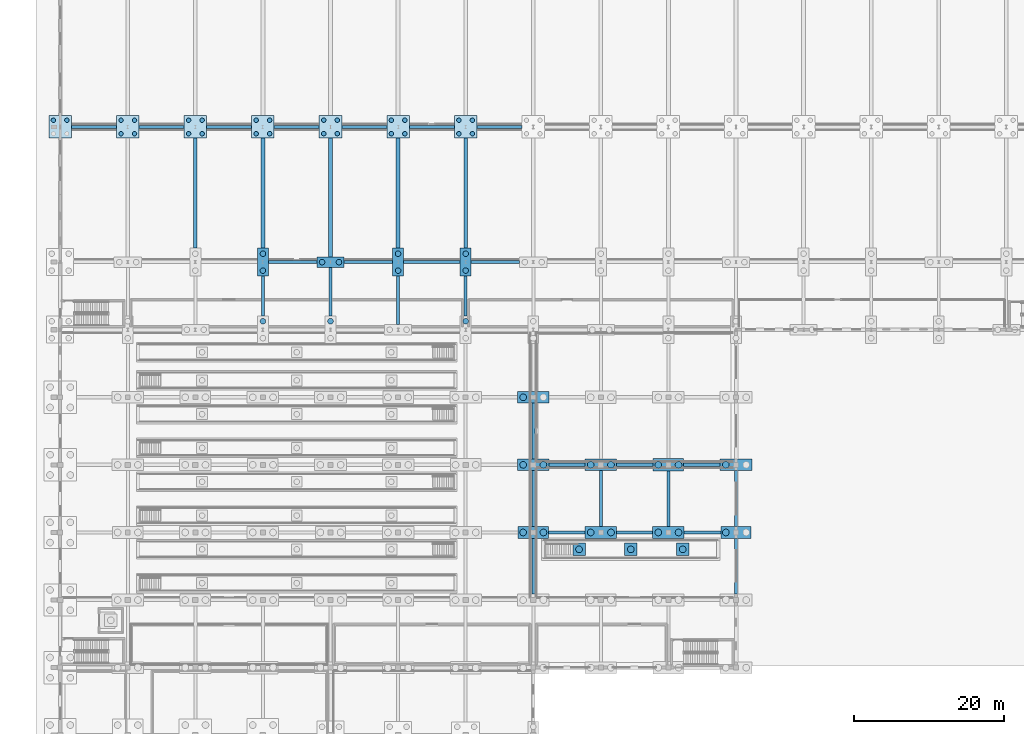
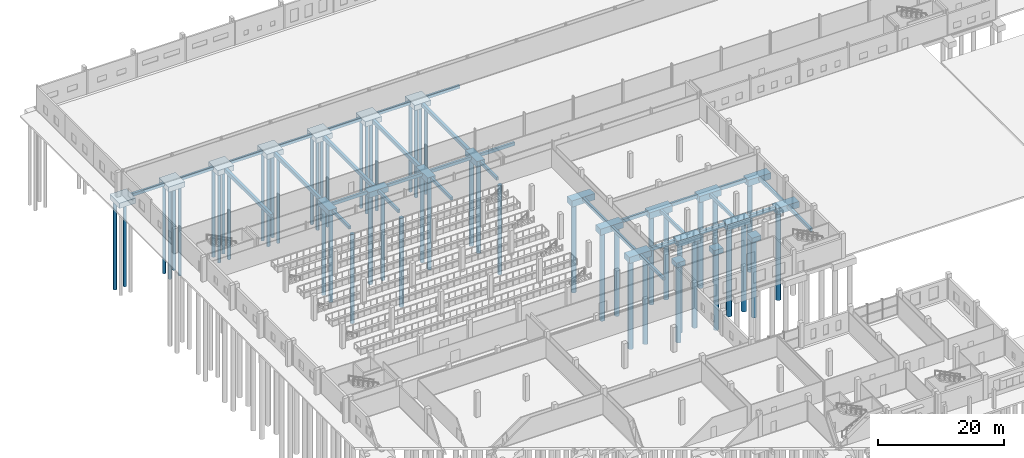
# One storey, part 8 of 112: 56 footings, 55 piles.
"""IFC4 building model written with IfcOpenShell, lengths in metres."""

from ifc_helpers import new_model, si_unit, direction, frame, origin, origin_2d, place, context, subcontext, project, spatial, polyline, rectangle, circle, outline, extrude, material, material_profile, profile_set, type_object, element, save


model = new_model("IFC4")

# Units and contexts
model_context = context("Model", 3, precision=1e-05, world=origin(), true_north=direction((0.0, 1.0)))
body_context = subcontext(model_context, "Body", "Model", "MODEL_VIEW")
ifc_project = project(units=[si_unit("LENGTHUNIT", "METRE"), si_unit("AREAUNIT", "SQUARE_METRE"), si_unit("VOLUMEUNIT", "CUBIC_METRE"), si_unit("PLANEANGLEUNIT", "RADIAN"), si_unit("MASSUNIT", "GRAM", prefix="KILO")], contexts=[model_context])

# Site, building, storey
site_placement = place(None, origin())
site = spatial("IfcSite", under=ifc_project, at=site_placement, CompositionType="ELEMENT")
building_placement = place(site_placement, origin())
building = spatial("IfcBuilding", under=site, at=building_placement, Name="Tharagai Park Tramway Depot", CompositionType="ELEMENT")
storey_placement = place(building_placement, origin())
storey = spatial("IfcBuildingStorey", under=building, at=storey_placement, Name="L00", CompositionType="ELEMENT", Elevation=0.0)

# Piles
ifc_material = material(Name="Concrete M40", Category="concrete")
ifc_material_profile_1 = material_profile(ifc_material, circle(Radius=0.449951171875, at=origin_2d()), Name="PILE D900")
ifc_profile_set_1 = profile_set([ifc_material_profile_1], Name="Concrete M40")
pile_type_1 = type_object("IfcPileType", Name="BP-01", PredefinedType="BORED", material=ifc_profile_set_1)
for number, where, z_axis, x_axis, name in (
    (1, (61.64990234375, 63.0, -1.3798828125), (0.0, 0.0, -1.0), (1.0, 0.0, 0.0), "Bored Pile BP-01 (63,63) #1"),
    (2, (64.35009765625, 63.0, -1.3798828125), (0.0, 0.0, -1.0), (1.0, 0.0, 0.0), "Bored Pile BP-01 (63,63) #2"),
):
    element("IfcPile", number, at=place(storey_placement, frame(where, z_axis=z_axis, x_axis=x_axis)), inside=storey, type_object=pile_type_1, Name=name, PredefinedType="BORED", context=body_context, shape_type="SweptSolid", body=[
        extrude(circle(Radius=0.449951171875, at=origin_2d()), origin(), (0.0, 0.0, 1.0), 17.1201171875),
    ])
for number, where, z_axis, x_axis, name in (
    (3, (61.64990234375, 72.0, -1.39990234375), (0.0, 0.0, -1.0), (1.0, 0.0, 0.0), "Bored Pile BP-01 (63,72) #1"),
    (4, (64.35009765625, 72.0, -1.39990234375), (0.0, 0.0, -1.0), (1.0, 0.0, 0.0), "Bored Pile BP-01 (63,72) #2"),
    (5, (61.64990234375, 81.0, -1.39990234375), (0.0, 0.0, -1.0), (1.0, 0.0, 0.0), "Bored Pile BP-01 (63,81) #1"),
    (6, (70.64990234375, 63.0, -1.39990234375), (0.0, 0.0, -1.0), (1.0, 0.0, 0.0), "Bored Pile BP-01 (72,63) #1"),
    (7, (73.35009765625, 63.0, -1.39990234375), (0.0, 0.0, -1.0), (1.0, 0.0, 0.0), "Bored Pile BP-01 (72,63) #2"),
    (8, (70.64990234375, 72.0, -1.39990234375), (0.0, 0.0, -1.0), (1.0, 0.0, 0.0), "Bored Pile BP-01 (72,72) #1"),
    (9, (73.35009765625, 72.0, -1.39990234375), (0.0, 0.0, -1.0), (1.0, 0.0, 0.0), "Bored Pile BP-01 (72,72) #2"),
    (10, (79.64990234375, 63.0, -1.39990234375), (0.0, 0.0, -1.0), (1.0, 0.0, 0.0), "Bored Pile BP-01 (81,63) #1"),
    (11, (82.35009765625, 63.0, -1.39990234375), (0.0, 0.0, -1.0), (1.0, 0.0, 0.0), "Bored Pile BP-01 (81,63) #2"),
):
    element("IfcPile", number, at=place(storey_placement, frame(where, z_axis=z_axis, x_axis=x_axis)), inside=storey, type_object=pile_type_1, Name=name, PredefinedType="BORED", context=body_context, shape_type="SweptSolid", body=[
        extrude(circle(Radius=0.449951171875, at=origin_2d()), origin(), (0.0, 0.0, 1.0), 17.10009765625),
    ])
for number, where, z_axis, x_axis, name in (
    (12, (79.64990234375, 72.0, -1.3798828125), (0.0, 0.0, -1.0), (1.0, 0.0, 0.0), "Bored Pile BP-01 (81,72) #1"),
    (13, (82.35009765625, 72.0, -1.3798828125), (0.0, 0.0, -1.0), (1.0, 0.0, 0.0), "Bored Pile BP-01 (81,72) #2"),
    (14, (88.64990234375, 63.0, -1.3798828125), (0.0, 0.0, -1.0), (1.0, 0.0, 0.0), "Bored Pile BP-01 (90,63) #1"),
):
    element("IfcPile", number, at=place(storey_placement, frame(where, z_axis=z_axis, x_axis=x_axis)), inside=storey, type_object=pile_type_1, Name=name, PredefinedType="BORED", context=body_context, shape_type="SweptSolid", body=[
        extrude(circle(Radius=0.449951171875, at=origin_2d()), origin(), (0.0, 0.0, 1.0), 17.1201171875),
    ])
pile_placement = place(storey_placement, frame((88.64990234375, 72.0, -1.39990234375), z_axis=(0.0, 0.0, -1.0), x_axis=(1.0, 0.0, 0.0)))
element("IfcPile", 15, at=pile_placement, inside=storey, type_object=pile_type_1, Name="Bored Pile BP-01 (90,72) #1", PredefinedType="BORED", context=body_context, shape_type="SweptSolid", body=[
    extrude(circle(Radius=0.449951171875, at=origin_2d()), origin(), (0.0, 0.0, 1.0), 17.10009765625),
])
for number, where, z_axis, x_axis, name in (
    (16, (69.10009765625, 60.75, -3.449951171875), (0.0, 0.0, -1.0), (1.0, 0.0, 0.0), "Underfloor Wheel-Lathe Pit Bored Pile 1"),
    (17, (76.0, 60.75, -3.449951171875), (0.0, 0.0, -1.0), (1.0, 0.0, 0.0), "Underfloor Wheel-Lathe Pit Bored Pile 2"),
    (18, (82.89990234375, 60.75, -3.449951171875), (0.0, 0.0, -1.0), (1.0, 0.0, 0.0), "Underfloor Wheel-Lathe Pit Bored Pile 3"),
):
    element("IfcPile", number, at=place(storey_placement, frame(where, z_axis=z_axis, x_axis=x_axis)), inside=storey, type_object=pile_type_1, Name=name, PredefinedType="BORED", context=body_context, shape_type="SweptSolid", body=[
        extrude(circle(Radius=0.449951171875, at=origin_2d()), origin(), (0.0, 0.0, 1.0), 15.050048828125),
    ])
ifc_material_profile_2 = material_profile(ifc_material, circle(Radius=0.375, at=origin_2d()), Name="PILE D750")
ifc_profile_set_2 = profile_set([ifc_material_profile_2], Name="Concrete M40")
pile_type_2 = type_object("IfcPileType", Name="BP-02", PredefinedType="BORED", material=ifc_profile_set_2)
for number, where, z_axis, x_axis, name in (
    (19, (27.0, 91.125, -1.280029296875), (0.0, 0.0, -1.0), (1.0, 0.0, 0.0), "Bored Pile BP-02 (27,90) #2"),
    (20, (27.0, 97.875, -1.280029296875), (0.0, 0.0, -1.0), (1.0, 0.0, 0.0), "Bored Pile BP-02 (27,99) #1"),
    (21, (27.0, 100.125, -1.280029296875), (0.0, 0.0, -1.0), (1.0, 0.0, 0.0), "Bored Pile BP-02 (27,99) #2"),
    (22, (36.0, 91.125, -1.280029296875), (0.0, 0.0, -1.0), (1.0, 0.0, 0.0), "Bored Pile BP-02 (36,90) #2"),
):
    element("IfcPile", number, at=place(storey_placement, frame(where, z_axis=z_axis, x_axis=x_axis)), inside=storey, type_object=pile_type_2, Name=name, PredefinedType="BORED", context=body_context, shape_type="SweptSolid", body=[
        extrude(circle(Radius=0.375, at=origin_2d()), origin(), (0.0, 0.0, 1.0), 17.219970703125),
    ])
for number, where, z_axis, x_axis, name in (
    (23, (34.875, 99.0, -1.25), (0.0, 0.0, -1.0), (1.0, 0.0, 0.0), "Bored Pile BP-02 (36,99) #1"),
    (24, (37.125, 99.0, -1.25), (0.0, 0.0, -1.0), (1.0, 0.0, 0.0), "Bored Pile BP-02 (36,99) #2"),
):
    element("IfcPile", number, at=place(storey_placement, frame(where, z_axis=z_axis, x_axis=x_axis)), inside=storey, type_object=pile_type_2, Name=name, PredefinedType="BORED", context=body_context, shape_type="SweptSolid", body=[
        extrude(circle(Radius=0.375, at=origin_2d()), origin(), (0.0, 0.0, 1.0), 17.25),
    ])
for number, where, z_axis, x_axis, name in (
    (25, (45.0, 97.875, -1.280029296875), (0.0, 0.0, -1.0), (1.0, 0.0, 0.0), "Bored Pile BP-02 (45,99) #1"),
    (26, (45.0, 100.125, -1.280029296875), (0.0, 0.0, -1.0), (1.0, 0.0, 0.0), "Bored Pile BP-02 (45,99) #2"),
    (27, (54.0, 91.125, -1.280029296875), (0.0, 0.0, -1.0), (1.0, 0.0, 0.0), "Bored Pile BP-02 (54,90) #2"),
    (28, (54.0, 97.875, -1.280029296875), (0.0, 0.0, -1.0), (1.0, 0.0, 0.0), "Bored Pile BP-02 (54,99) #1"),
    (29, (54.0, 100.125, -1.280029296875), (0.0, 0.0, -1.0), (1.0, 0.0, 0.0), "Bored Pile BP-02 (54,99) #2"),
):
    element("IfcPile", number, at=place(storey_placement, frame(where, z_axis=z_axis, x_axis=x_axis)), inside=storey, type_object=pile_type_2, Name=name, PredefinedType="BORED", context=body_context, shape_type="SweptSolid", body=[
        extrude(circle(Radius=0.375, at=origin_2d()), origin(), (0.0, 0.0, 1.0), 17.219970703125),
    ])
ifc_material_profile_3 = material_profile(ifc_material, circle(Radius=0.300048828125, at=origin_2d()), Name="PILE D600")
ifc_profile_set_3 = profile_set([ifc_material_profile_3], Name="Concrete M40")
pile_type_3 = type_object("IfcPileType", Name="BP-03", PredefinedType="BORED", material=ifc_profile_set_3)
for number, where, z_axis, x_axis, name in (
    (30, (-0.89990234375, 117.89990234375, -1.199951171875), (0.0, 0.0, -1.0), (1.0, 0.0, 0.0), "Bored Pile BP-03 (0,117) #3"),
    (31, (0.89990234375, 117.89990234375, -1.199951171875), (0.0, 0.0, -1.0), (1.0, 0.0, 0.0), "Bored Pile BP-03 (0,117) #4"),
    (32, (8.10009765625, 116.10009765625, -1.199951171875), (0.0, 0.0, -1.0), (1.0, 0.0, 0.0), "Bored Pile BP-03 (9,117) #1"),
    (33, (9.89990234375, 116.10009765625, -1.199951171875), (0.0, 0.0, -1.0), (1.0, 0.0, 0.0), "Bored Pile BP-03 (9,117) #2"),
    (34, (8.10009765625, 117.89990234375, -1.199951171875), (0.0, 0.0, -1.0), (1.0, 0.0, 0.0), "Bored Pile BP-03 (9,117) #3"),
    (35, (9.89990234375, 117.89990234375, -1.199951171875), (0.0, 0.0, -1.0), (1.0, 0.0, 0.0), "Bored Pile BP-03 (9,117) #4"),
    (36, (17.10009765625, 116.10009765625, -1.199951171875), (0.0, 0.0, -1.0), (1.0, 0.0, 0.0), "Bored Pile BP-03 (18,117) #1"),
    (37, (18.89990234375, 116.10009765625, -1.199951171875), (0.0, 0.0, -1.0), (1.0, 0.0, 0.0), "Bored Pile BP-03 (18,117) #2"),
    (38, (17.10009765625, 117.89990234375, -1.199951171875), (0.0, 0.0, -1.0), (1.0, 0.0, 0.0), "Bored Pile BP-03 (18,117) #3"),
    (39, (18.89990234375, 117.89990234375, -1.199951171875), (0.0, 0.0, -1.0), (1.0, 0.0, 0.0), "Bored Pile BP-03 (18,117) #4"),
    (40, (26.10009765625, 116.10009765625, -1.199951171875), (0.0, 0.0, -1.0), (1.0, 0.0, 0.0), "Bored Pile BP-03 (27,117) #1"),
    (41, (27.89990234375, 116.10009765625, -1.199951171875), (0.0, 0.0, -1.0), (1.0, 0.0, 0.0), "Bored Pile BP-03 (27,117) #2"),
    (42, (26.10009765625, 117.89990234375, -1.199951171875), (0.0, 0.0, -1.0), (1.0, 0.0, 0.0), "Bored Pile BP-03 (27,117) #3"),
    (43, (27.89990234375, 117.89990234375, -1.199951171875), (0.0, 0.0, -1.0), (1.0, 0.0, 0.0), "Bored Pile BP-03 (27,117) #4"),
    (44, (35.10009765625, 116.10009765625, -1.199951171875), (0.0, 0.0, -1.0), (1.0, 0.0, 0.0), "Bored Pile BP-03 (36,117) #1"),
    (45, (36.89990234375, 116.10009765625, -1.199951171875), (0.0, 0.0, -1.0), (1.0, 0.0, 0.0), "Bored Pile BP-03 (36,117) #2"),
    (46, (35.10009765625, 117.89990234375, -1.199951171875), (0.0, 0.0, -1.0), (1.0, 0.0, 0.0), "Bored Pile BP-03 (36,117) #3"),
    (47, (36.89990234375, 117.89990234375, -1.199951171875), (0.0, 0.0, -1.0), (1.0, 0.0, 0.0), "Bored Pile BP-03 (36,117) #4"),
    (48, (44.10009765625, 116.10009765625, -1.199951171875), (0.0, 0.0, -1.0), (1.0, 0.0, 0.0), "Bored Pile BP-03 (45,117) #1"),
    (49, (45.89990234375, 116.10009765625, -1.199951171875), (0.0, 0.0, -1.0), (1.0, 0.0, 0.0), "Bored Pile BP-03 (45,117) #2"),
    (50, (44.10009765625, 117.89990234375, -1.199951171875), (0.0, 0.0, -1.0), (1.0, 0.0, 0.0), "Bored Pile BP-03 (45,117) #3"),
    (51, (45.89990234375, 117.89990234375, -1.199951171875), (0.0, 0.0, -1.0), (1.0, 0.0, 0.0), "Bored Pile BP-03 (45,117) #4"),
    (52, (53.10009765625, 116.10009765625, -1.199951171875), (0.0, 0.0, -1.0), (1.0, 0.0, 0.0), "Bored Pile BP-03 (54,117) #1"),
    (53, (54.89990234375, 116.10009765625, -1.199951171875), (0.0, 0.0, -1.0), (1.0, 0.0, 0.0), "Bored Pile BP-03 (54,117) #2"),
    (54, (53.10009765625, 117.89990234375, -1.199951171875), (0.0, 0.0, -1.0), (1.0, 0.0, 0.0), "Bored Pile BP-03 (54,117) #3"),
    (55, (54.89990234375, 117.89990234375, -1.199951171875), (0.0, 0.0, -1.0), (1.0, 0.0, 0.0), "Bored Pile BP-03 (54,117) #4"),
):
    element("IfcPile", number, at=place(storey_placement, frame(where, z_axis=z_axis, x_axis=x_axis)), inside=storey, type_object=pile_type_3, Name=name, PredefinedType="BORED", context=body_context, shape_type="SweptSolid", body=[
        extrude(circle(Radius=0.300048828125, at=origin_2d()), origin(), (0.0, 0.0, 1.0), 17.300048828125),
    ])

# Footings
footing_type_1 = type_object("IfcFootingType", Name="GB-01", PredefinedType="FOOTING_BEAM", material=ifc_material)
footing_1_placement = place(storey_placement, frame((0.0, 0.0, -0.949951171875)))
element("IfcFooting", 56, at=footing_1_placement, inside=storey, type_object=footing_type_1, Name="Ground Tie Beam GB-01", PredefinedType="FOOTING_BEAM", context=body_context, shape_type="SweptSolid", body=[
    extrude(outline(polyline([(65.02490234375, 62.77490234375), (69.89990234375, 62.77490234375), (69.89990234375, 63.22509765625), (65.02490234375, 63.22509765625), (65.02490234375, 62.77490234375)])), origin(), (0.0, 0.0, 1.0), 0.64990234375),
])
footing_2_placement = place(storey_placement, frame((0.0, 0.0, -0.949951171875)))
element("IfcFooting", 57, at=footing_2_placement, inside=storey, type_object=footing_type_1, Name="Ground Tie Beam GB-01", PredefinedType="FOOTING_BEAM", context=body_context, shape_type="SweptSolid", body=[
    extrude(outline(polyline([(74.10009765625, 62.77490234375), (78.89990234375, 62.77490234375), (78.89990234375, 63.22509765625), (74.10009765625, 63.22509765625), (74.10009765625, 62.77490234375)])), origin(), (0.0, 0.0, 1.0), 0.64990234375),
])
footing_3_placement = place(storey_placement, frame((0.0, 0.0, -0.949951171875)))
element("IfcFooting", 58, at=footing_3_placement, inside=storey, type_object=footing_type_1, Name="Ground Tie Beam GB-01", PredefinedType="FOOTING_BEAM", context=body_context, shape_type="SweptSolid", body=[
    extrude(outline(polyline([(83.10009765625, 62.77490234375), (87.97509765625, 62.77490234375), (87.97509765625, 63.22509765625), (83.10009765625, 63.22509765625), (83.10009765625, 62.77490234375)])), origin(), (0.0, 0.0, 1.0), 0.64990234375),
])
footing_4_placement = place(storey_placement, frame((0.0, 0.0, -0.949951171875)))
element("IfcFooting", 59, at=footing_4_placement, inside=storey, type_object=footing_type_1, Name="Ground Tie Beam GB-01", PredefinedType="FOOTING_BEAM", context=body_context, shape_type="SweptSolid", body=[
    extrude(outline(polyline([(65.10009765625, 71.77490234375), (69.89990234375, 71.77490234375), (69.89990234375, 72.22509765625), (65.10009765625, 72.22509765625), (65.10009765625, 71.77490234375)])), origin(), (0.0, 0.0, 1.0), 0.64990234375),
])
footing_5_placement = place(storey_placement, frame((0.0, 0.0, -0.949951171875)))
element("IfcFooting", 60, at=footing_5_placement, inside=storey, type_object=footing_type_1, Name="Ground Tie Beam GB-01", PredefinedType="FOOTING_BEAM", context=body_context, shape_type="SweptSolid", body=[
    extrude(outline(polyline([(74.10009765625, 71.77490234375), (78.97509765625, 71.77490234375), (78.97509765625, 72.22509765625), (74.10009765625, 72.22509765625), (74.10009765625, 71.77490234375)])), origin(), (0.0, 0.0, 1.0), 0.64990234375),
])
footing_6_placement = place(storey_placement, frame((0.0, 0.0, -0.949951171875)))
element("IfcFooting", 61, at=footing_6_placement, inside=storey, type_object=footing_type_1, Name="Ground Tie Beam GB-01", PredefinedType="FOOTING_BEAM", context=body_context, shape_type="SweptSolid", body=[
    extrude(outline(polyline([(83.02490234375, 71.77490234375), (87.89990234375, 71.77490234375), (87.89990234375, 72.22509765625), (83.02490234375, 72.22509765625), (83.02490234375, 71.77490234375)])), origin(), (0.0, 0.0, 1.0), 0.64990234375),
])
footing_type_2 = type_object("IfcFootingType", Name="GB-02", PredefinedType="FOOTING_BEAM", material=ifc_material)
footing_7_placement = place(storey_placement, frame((0.0, 0.0, -1.0)))
element("IfcFooting", 62, at=footing_7_placement, inside=storey, type_object=footing_type_2, Name="Ground Tie Beam GB-02", PredefinedType="FOOTING_BEAM", context=body_context, shape_type="SweptSolid", body=[
    extrude(outline(polyline([(17.75, 100.85009765625), (18.25, 100.85009765625), (18.25, 115.5), (17.75, 115.5), (17.75, 100.85009765625)])), origin(), (0.0, 0.0, 1.0), 0.699951171875),
])
footing_8_placement = place(storey_placement, frame((0.0, 0.0, -1.0)))
element("IfcFooting", 63, at=footing_8_placement, inside=storey, type_object=footing_type_2, Name="Ground Tie Beam GB-02", PredefinedType="FOOTING_BEAM", context=body_context, shape_type="SweptSolid", body=[
    extrude(outline(polyline([(26.75, 100.85009765625), (27.25, 100.85009765625), (27.25, 115.5), (26.75, 115.5), (26.75, 100.85009765625)])), origin(), (0.0, 0.0, 1.0), 0.699951171875),
])
footing_9_placement = place(storey_placement, frame((0.0, 0.0, -1.0)))
element("IfcFooting", 64, at=footing_9_placement, inside=storey, type_object=footing_type_2, Name="Ground Tie Beam GB-02", PredefinedType="FOOTING_BEAM", context=body_context, shape_type="SweptSolid", body=[
    extrude(outline(polyline([(35.75, 99.699951171875), (36.25, 99.699951171875), (36.25, 115.5), (35.75, 115.5), (35.75, 99.699951171875)])), origin(), (0.0, 0.0, 1.0), 0.699951171875),
])
footing_10_placement = place(storey_placement, frame((0.0, 0.0, -1.0)))
element("IfcFooting", 65, at=footing_10_placement, inside=storey, type_object=footing_type_2, Name="Ground Tie Beam GB-02", PredefinedType="FOOTING_BEAM", context=body_context, shape_type="SweptSolid", body=[
    extrude(outline(polyline([(44.75, 100.85009765625), (45.25, 100.85009765625), (45.25, 115.5), (44.75, 115.5), (44.75, 100.85009765625)])), origin(), (0.0, 0.0, 1.0), 0.699951171875),
])
footing_11_placement = place(storey_placement, frame((0.0, 0.0, -1.0)))
element("IfcFooting", 66, at=footing_11_placement, inside=storey, type_object=footing_type_2, Name="Ground Tie Beam GB-02", PredefinedType="FOOTING_BEAM", context=body_context, shape_type="SweptSolid", body=[
    extrude(outline(polyline([(53.75, 100.85009765625), (54.25, 100.85009765625), (54.25, 115.5), (53.75, 115.5), (53.75, 100.85009765625)])), origin(), (0.0, 0.0, 1.0), 0.699951171875),
])
footing_type_3 = type_object("IfcFootingType", Name="GB-04", PredefinedType="FOOTING_BEAM", material=ifc_material)
footing_12_placement = place(storey_placement, frame((0.0, 0.0, -0.89990234375)))
element("IfcFooting", 67, at=footing_12_placement, inside=storey, type_object=footing_type_3, Name="Ground Tie Beam GB-04", PredefinedType="FOOTING_BEAM", context=body_context, shape_type="SweptSolid", body=[
    extrude(outline(polyline([(27.72509765625, 98.800048828125), (34.199951171875, 98.800048828125), (34.199951171875, 99.199951171875), (27.72509765625, 99.199951171875), (27.72509765625, 98.800048828125)])), origin(), (0.0, 0.0, 1.0), 0.599853515625),
])
footing_13_placement = place(storey_placement, frame((0.0, 0.0, -0.89990234375)))
element("IfcFooting", 68, at=footing_13_placement, inside=storey, type_object=footing_type_3, Name="Ground Tie Beam GB-04", PredefinedType="FOOTING_BEAM", context=body_context, shape_type="SweptSolid", body=[
    extrude(outline(polyline([(37.800048828125, 98.800048828125), (44.27490234375, 98.800048828125), (44.27490234375, 99.199951171875), (37.800048828125, 99.199951171875), (37.800048828125, 98.800048828125)])), origin(), (0.0, 0.0, 1.0), 0.599853515625),
])
footing_14_placement = place(storey_placement, frame((0.0, 0.0, -0.89990234375)))
element("IfcFooting", 69, at=footing_14_placement, inside=storey, type_object=footing_type_3, Name="Ground Tie Beam GB-04", PredefinedType="FOOTING_BEAM", context=body_context, shape_type="SweptSolid", body=[
    extrude(outline(polyline([(45.72509765625, 98.800048828125), (53.27490234375, 98.800048828125), (53.27490234375, 99.199951171875), (45.72509765625, 99.199951171875), (45.72509765625, 98.800048828125)])), origin(), (0.0, 0.0, 1.0), 0.599853515625),
])
footing_15_placement = place(storey_placement, frame((0.0, 0.0, -0.89990234375)))
element("IfcFooting", 70, at=footing_15_placement, inside=storey, type_object=footing_type_3, Name="Ground Tie Beam GB-04", PredefinedType="FOOTING_BEAM", context=body_context, shape_type="SweptSolid", body=[
    extrude(outline(polyline([(54.72509765625, 98.800048828125), (61.199951171875, 98.800048828125), (61.199951171875, 99.199951171875), (54.72509765625, 99.199951171875), (54.72509765625, 98.800048828125)])), origin(), (0.0, 0.0, 1.0), 0.599853515625),
])
footing_16_placement = place(storey_placement, frame((0.0, 0.0, -0.89990234375)))
element("IfcFooting", 71, at=footing_16_placement, inside=storey, type_object=footing_type_3, Name="Ground Tie Beam GB-04", PredefinedType="FOOTING_BEAM", context=body_context, shape_type="SweptSolid", body=[
    extrude(outline(polyline([(1.5, 116.800048828125), (7.5, 116.800048828125), (7.5, 117.199951171875), (1.5, 117.199951171875), (1.5, 116.800048828125)])), origin(), (0.0, 0.0, 1.0), 0.599853515625),
])
footing_17_placement = place(storey_placement, frame((0.0, 0.0, -0.89990234375)))
element("IfcFooting", 72, at=footing_17_placement, inside=storey, type_object=footing_type_3, Name="Ground Tie Beam GB-04", PredefinedType="FOOTING_BEAM", context=body_context, shape_type="SweptSolid", body=[
    extrude(outline(polyline([(10.5, 116.800048828125), (16.5, 116.800048828125), (16.5, 117.199951171875), (10.5, 117.199951171875), (10.5, 116.800048828125)])), origin(), (0.0, 0.0, 1.0), 0.599853515625),
])
footing_18_placement = place(storey_placement, frame((0.0, 0.0, -0.89990234375)))
element("IfcFooting", 73, at=footing_18_placement, inside=storey, type_object=footing_type_3, Name="Ground Tie Beam GB-04", PredefinedType="FOOTING_BEAM", context=body_context, shape_type="SweptSolid", body=[
    extrude(outline(polyline([(19.5, 116.800048828125), (25.5, 116.800048828125), (25.5, 117.199951171875), (19.5, 117.199951171875), (19.5, 116.800048828125)])), origin(), (0.0, 0.0, 1.0), 0.599853515625),
])
footing_19_placement = place(storey_placement, frame((0.0, 0.0, -0.89990234375)))
element("IfcFooting", 74, at=footing_19_placement, inside=storey, type_object=footing_type_3, Name="Ground Tie Beam GB-04", PredefinedType="FOOTING_BEAM", context=body_context, shape_type="SweptSolid", body=[
    extrude(outline(polyline([(28.5, 116.800048828125), (34.5, 116.800048828125), (34.5, 117.199951171875), (28.5, 117.199951171875), (28.5, 116.800048828125)])), origin(), (0.0, 0.0, 1.0), 0.599853515625),
])
footing_20_placement = place(storey_placement, frame((0.0, 0.0, -0.89990234375)))
element("IfcFooting", 75, at=footing_20_placement, inside=storey, type_object=footing_type_3, Name="Ground Tie Beam GB-04", PredefinedType="FOOTING_BEAM", context=body_context, shape_type="SweptSolid", body=[
    extrude(outline(polyline([(37.5, 116.800048828125), (43.5, 116.800048828125), (43.5, 117.199951171875), (37.5, 117.199951171875), (37.5, 116.800048828125)])), origin(), (0.0, 0.0, 1.0), 0.599853515625),
])
footing_21_placement = place(storey_placement, frame((0.0, 0.0, -0.89990234375)))
element("IfcFooting", 76, at=footing_21_placement, inside=storey, type_object=footing_type_3, Name="Ground Tie Beam GB-04", PredefinedType="FOOTING_BEAM", context=body_context, shape_type="SweptSolid", body=[
    extrude(outline(polyline([(46.5, 116.800048828125), (52.5, 116.800048828125), (52.5, 117.199951171875), (46.5, 117.199951171875), (46.5, 116.800048828125)])), origin(), (0.0, 0.0, 1.0), 0.599853515625),
])
footing_22_placement = place(storey_placement, frame((0.0, 0.0, -0.89990234375)))
element("IfcFooting", 77, at=footing_22_placement, inside=storey, type_object=footing_type_3, Name="Ground Tie Beam GB-04", PredefinedType="FOOTING_BEAM", context=body_context, shape_type="SweptSolid", body=[
    extrude(outline(polyline([(55.5, 116.800048828125), (61.5, 116.800048828125), (61.5, 117.199951171875), (55.5, 117.199951171875), (55.5, 116.800048828125)])), origin(), (0.0, 0.0, 1.0), 0.599853515625),
])
footing_23_placement = place(storey_placement, frame((0.0, 0.0, -0.89990234375)))
element("IfcFooting", 78, at=footing_23_placement, inside=storey, type_object=footing_type_3, Name="Ground Tie Beam GB-04", PredefinedType="FOOTING_BEAM", context=body_context, shape_type="SweptSolid", body=[
    extrude(outline(polyline([(26.800048828125, 91.85009765625), (27.199951171875, 91.85009765625), (27.199951171875, 97.14990234375), (26.800048828125, 97.14990234375), (26.800048828125, 91.85009765625)])), origin(), (0.0, 0.0, 1.0), 0.599853515625),
])
footing_24_placement = place(storey_placement, frame((0.0, 0.0, -0.89990234375)))
element("IfcFooting", 79, at=footing_24_placement, inside=storey, type_object=footing_type_3, Name="Ground Tie Beam GB-04", PredefinedType="FOOTING_BEAM", context=body_context, shape_type="SweptSolid", body=[
    extrude(outline(polyline([(35.800048828125, 91.85009765625), (36.199951171875, 91.85009765625), (36.199951171875, 98.300048828125), (35.800048828125, 98.300048828125), (35.800048828125, 91.85009765625)])), origin(), (0.0, 0.0, 1.0), 0.599853515625),
])
footing_25_placement = place(storey_placement, frame((0.0, 0.0, -0.89990234375)))
element("IfcFooting", 80, at=footing_25_placement, inside=storey, type_object=footing_type_3, Name="Ground Tie Beam GB-04", PredefinedType="FOOTING_BEAM", context=body_context, shape_type="SweptSolid", body=[
    extrude(outline(polyline([(44.800048828125, 90.699951171875), (45.199951171875, 90.699951171875), (45.199951171875, 97.14990234375), (44.800048828125, 97.14990234375), (44.800048828125, 90.699951171875)])), origin(), (0.0, 0.0, 1.0), 0.599853515625),
])
footing_26_placement = place(storey_placement, frame((0.0, 0.0, -0.89990234375)))
element("IfcFooting", 81, at=footing_26_placement, inside=storey, type_object=footing_type_3, Name="Ground Tie Beam GB-04", PredefinedType="FOOTING_BEAM", context=body_context, shape_type="SweptSolid", body=[
    extrude(outline(polyline([(53.800048828125, 91.85009765625), (54.199951171875, 91.85009765625), (54.199951171875, 97.14990234375), (53.800048828125, 97.14990234375), (53.800048828125, 91.85009765625)])), origin(), (0.0, 0.0, 1.0), 0.599853515625),
])
footing_27_placement = place(storey_placement, frame((0.0, 0.0, -0.89990234375)))
element("IfcFooting", 82, at=footing_27_placement, inside=storey, type_object=footing_type_3, Name="Ground Tie Beam GB-04", PredefinedType="FOOTING_BEAM", context=body_context, shape_type="SweptSolid", body=[
    extrude(outline(polyline([(62.800048828125, 54.77490234375), (63.199951171875, 54.77490234375), (63.199951171875, 62.175048828125), (62.800048828125, 62.175048828125), (62.800048828125, 54.77490234375)])), origin(), (0.0, 0.0, 1.0), 0.599853515625),
])
footing_28_placement = place(storey_placement, frame((0.0, 0.0, -0.89990234375)))
element("IfcFooting", 83, at=footing_28_placement, inside=storey, type_object=footing_type_3, Name="Ground Tie Beam GB-04", PredefinedType="FOOTING_BEAM", context=body_context, shape_type="SweptSolid", body=[
    extrude(outline(polyline([(62.800048828125, 63.824951171875), (63.199951171875, 63.824951171875), (63.199951171875, 71.22509765625), (62.800048828125, 71.22509765625), (62.800048828125, 63.824951171875)])), origin(), (0.0, 0.0, 1.0), 0.599853515625),
])
footing_29_placement = place(storey_placement, frame((0.0, 0.0, -0.89990234375)))
element("IfcFooting", 84, at=footing_29_placement, inside=storey, type_object=footing_type_3, Name="Ground Tie Beam GB-04", PredefinedType="FOOTING_BEAM", context=body_context, shape_type="SweptSolid", body=[
    extrude(outline(polyline([(62.800048828125, 72.77490234375), (63.199951171875, 72.77490234375), (63.199951171875, 80.22509765625), (62.800048828125, 80.22509765625), (62.800048828125, 72.77490234375)])), origin(), (0.0, 0.0, 1.0), 0.599853515625),
])
footing_30_placement = place(storey_placement, frame((0.0, 0.0, -0.89990234375)))
element("IfcFooting", 85, at=footing_30_placement, inside=storey, type_object=footing_type_3, Name="Ground Tie Beam GB-04", PredefinedType="FOOTING_BEAM", context=body_context, shape_type="SweptSolid", body=[
    extrude(outline(polyline([(71.800048828125, 63.77490234375), (72.199951171875, 63.77490234375), (72.199951171875, 71.22509765625), (71.800048828125, 71.22509765625), (71.800048828125, 63.77490234375)])), origin(), (0.0, 0.0, 1.0), 0.599853515625),
])
footing_31_placement = place(storey_placement, frame((0.0, 0.0, -0.89990234375)))
element("IfcFooting", 86, at=footing_31_placement, inside=storey, type_object=footing_type_3, Name="Ground Tie Beam GB-04", PredefinedType="FOOTING_BEAM", context=body_context, shape_type="SweptSolid", body=[
    extrude(outline(polyline([(80.800048828125, 63.77490234375), (81.199951171875, 63.77490234375), (81.199951171875, 71.175048828125), (80.800048828125, 71.175048828125), (80.800048828125, 63.77490234375)])), origin(), (0.0, 0.0, 1.0), 0.599853515625),
])
footing_32_placement = place(storey_placement, frame((0.0, 0.0, -0.89990234375)))
element("IfcFooting", 87, at=footing_32_placement, inside=storey, type_object=footing_type_3, Name="Ground Tie Beam GB-04", PredefinedType="FOOTING_BEAM", context=body_context, shape_type="SweptSolid", body=[
    extrude(outline(polyline([(89.800048828125, 54.77490234375), (90.199951171875, 54.77490234375), (90.199951171875, 62.175048828125), (89.800048828125, 62.175048828125), (89.800048828125, 54.77490234375)])), origin(), (0.0, 0.0, 1.0), 0.599853515625),
])
footing_33_placement = place(storey_placement, frame((0.0, 0.0, -0.89990234375)))
element("IfcFooting", 88, at=footing_33_placement, inside=storey, type_object=footing_type_3, Name="Ground Tie Beam GB-04", PredefinedType="FOOTING_BEAM", context=body_context, shape_type="SweptSolid", body=[
    extrude(outline(polyline([(89.800048828125, 63.824951171875), (90.199951171875, 63.824951171875), (90.199951171875, 71.22509765625), (89.800048828125, 71.22509765625), (89.800048828125, 63.824951171875)])), origin(), (0.0, 0.0, 1.0), 0.599853515625),
])
footing_type_4 = type_object("IfcFootingType", Name="PC-02", PredefinedType="PILE_CAP", material=ifc_material)
for number, where, z_axis, x_axis, name in (
    (89, (0.0, 117.0, -1.300048828125), (0.0, 0.0, 1.0), (1.0, 0.0, 0.0), "Pile Cap PC-02 (0,117)"),
    (90, (9.0, 117.0, -1.300048828125), (0.0, 0.0, 1.0), (1.0, 0.0, 0.0), "Pile Cap PC-02 (9,117)"),
    (91, (18.0, 117.0, -1.300048828125), (0.0, 0.0, 1.0), (1.0, 0.0, 0.0), "Pile Cap PC-02 (18,117)"),
    (92, (27.0, 117.0, -1.300048828125), (0.0, 0.0, 1.0), (1.0, 0.0, 0.0), "Pile Cap PC-02 (27,117)"),
    (93, (36.0, 117.0, -1.300048828125), (0.0, 0.0, 1.0), (1.0, 0.0, 0.0), "Pile Cap PC-02 (36,117)"),
    (94, (45.0, 117.0, -1.300048828125), (0.0, 0.0, 1.0), (1.0, 0.0, 0.0), "Pile Cap PC-02 (45,117)"),
    (95, (54.0, 117.0, -1.300048828125), (0.0, 0.0, 1.0), (1.0, 0.0, 0.0), "Pile Cap PC-02 (54,117)"),
):
    element("IfcFooting", number, at=place(storey_placement, frame(where, z_axis=z_axis, x_axis=x_axis)), inside=storey, type_object=footing_type_4, Name=name, PredefinedType="PILE_CAP", context=body_context, shape_type="SweptSolid", body=[
        extrude(rectangle(XDim=3.0, YDim=3.0, at=origin_2d()), origin(), (0.0, 0.0, 1.0), 1.0),
    ])
footing_type_5 = type_object("IfcFootingType", Name="PC-11", PredefinedType="PILE_CAP", material=ifc_material)
footing_34_placement = place(storey_placement, frame((36.0, 99.0, -1.35009765625), z_axis=(0.0, 0.0, 1.0), x_axis=(1.0, 0.0, 0.0)))
element("IfcFooting", 96, at=footing_34_placement, inside=storey, type_object=footing_type_5, Name="Pile Cap PC-11 (36,99)", PredefinedType="PILE_CAP", context=body_context, shape_type="SweptSolid", body=[
    extrude(rectangle(XDim=3.60009765625, YDim=1.39990234375, at=origin_2d()), origin(), (0.0, 0.0, 1.0), 1.050048828125),
])
footing_type_6 = type_object("IfcFootingType", Name="PC-13", PredefinedType="PILE_CAP", material=ifc_material)
for number, where, z_axis, x_axis, name in (
    (97, (63.0, 63.0, -1.47998046875), (0.0, 0.0, 1.0), (1.0, 0.0, 0.0), "Pile Cap PC-13 (63,63)"),
    (98, (81.0, 72.0, -1.47998046875), (0.0, 0.0, 1.0), (1.0, 0.0, 0.0), "Pile Cap PC-13 (81,72)"),
    (99, (90.0, 63.0, -1.47998046875), (0.0, 0.0, 1.0), (1.0, 0.0, 0.0), "Pile Cap PC-13 (90,63)"),
):
    element("IfcFooting", number, at=place(storey_placement, frame(where, z_axis=z_axis, x_axis=x_axis)), inside=storey, type_object=footing_type_6, Name=name, PredefinedType="PILE_CAP", context=body_context, shape_type="SweptSolid", body=[
        extrude(rectangle(XDim=4.050048828125, YDim=1.64990234375, at=origin_2d()), origin(), (0.0, 0.0, 1.0), 1.179931640625),
    ])
footing_type_7 = type_object("IfcFootingType", Name="PC-14", PredefinedType="PILE_CAP", material=ifc_material)
for number, where, z_axis, x_axis, name in (
    (100, (27.0, 99.0, -1.380126953125), (0.0, 0.0, 1.0), (1.0, 0.0, 0.0), "Pile Cap PC-14 (27,99)"),
    (101, (45.0, 99.0, -1.380126953125), (0.0, 0.0, 1.0), (1.0, 0.0, 0.0), "Pile Cap PC-14 (45,99)"),
    (102, (54.0, 99.0, -1.380126953125), (0.0, 0.0, 1.0), (1.0, 0.0, 0.0), "Pile Cap PC-14 (54,99)"),
):
    element("IfcFooting", number, at=place(storey_placement, frame(where, z_axis=z_axis, x_axis=x_axis)), inside=storey, type_object=footing_type_7, Name=name, PredefinedType="PILE_CAP", context=body_context, shape_type="SweptSolid", body=[
        extrude(rectangle(XDim=1.449951171875, YDim=3.699951171875, at=origin_2d()), origin(), (0.0, 0.0, 1.0), 1.080078125),
    ])
footing_type_8 = type_object("IfcFootingType", Name="PC-15", PredefinedType="PILE_CAP", material=ifc_material)
for number, where, z_axis, x_axis, name in (
    (103, (63.0, 72.0, -1.5), (0.0, 0.0, 1.0), (1.0, 0.0, 0.0), "Pile Cap PC-15 (63,72)"),
    (104, (63.0, 81.0, -1.5), (0.0, 0.0, 1.0), (1.0, 0.0, 0.0), "Pile Cap PC-15 (63,81)"),
    (105, (72.0, 63.0, -1.5), (0.0, 0.0, 1.0), (1.0, 0.0, 0.0), "Pile Cap PC-15 (72,63)"),
    (106, (72.0, 72.0, -1.5), (0.0, 0.0, 1.0), (1.0, 0.0, 0.0), "Pile Cap PC-15 (72,72)"),
    (107, (81.0, 63.0, -1.5), (0.0, 0.0, 1.0), (1.0, 0.0, 0.0), "Pile Cap PC-15 (81,63)"),
    (108, (90.0, 72.0, -1.5), (0.0, 0.0, 1.0), (1.0, 0.0, 0.0), "Pile Cap PC-15 (90,72)"),
):
    element("IfcFooting", number, at=place(storey_placement, frame(where, z_axis=z_axis, x_axis=x_axis)), inside=storey, type_object=footing_type_8, Name=name, PredefinedType="PILE_CAP", context=body_context, shape_type="SweptSolid", body=[
        extrude(rectangle(XDim=4.199951171875, YDim=1.550048828125, at=origin_2d()), origin(), (0.0, 0.0, 1.0), 1.199951171875),
    ])
footing_type_9 = type_object("IfcFootingType", Name="PC-16", PredefinedType="PILE_CAP", material=ifc_material)
for number, where, z_axis, x_axis, name in (
    (109, (69.10009765625, 60.75, -3.5498046875), (0.0, 0.0, 1.0), (1.0, 0.0, 0.0), "Underfloor Wheel-Lathe Pit Pile Cap 1"),
    (110, (76.0, 60.75, -3.5498046875), (0.0, 0.0, 1.0), (1.0, 0.0, 0.0), "Underfloor Wheel-Lathe Pit Pile Cap 2"),
    (111, (82.89990234375, 60.75, -3.5498046875), (0.0, 0.0, 1.0), (1.0, 0.0, 0.0), "Underfloor Wheel-Lathe Pit Pile Cap 3"),
):
    element("IfcFooting", number, at=place(storey_placement, frame(where, z_axis=z_axis, x_axis=x_axis)), inside=storey, type_object=footing_type_9, Name=name, PredefinedType="PILE_CAP", context=body_context, shape_type="SweptSolid", body=[
        extrude(rectangle(XDim=1.64990234375, YDim=1.64990234375, at=origin_2d()), origin(), (0.0, 0.0, 1.0), 0.949951171875),
    ])

save(model, "model.ifc")
